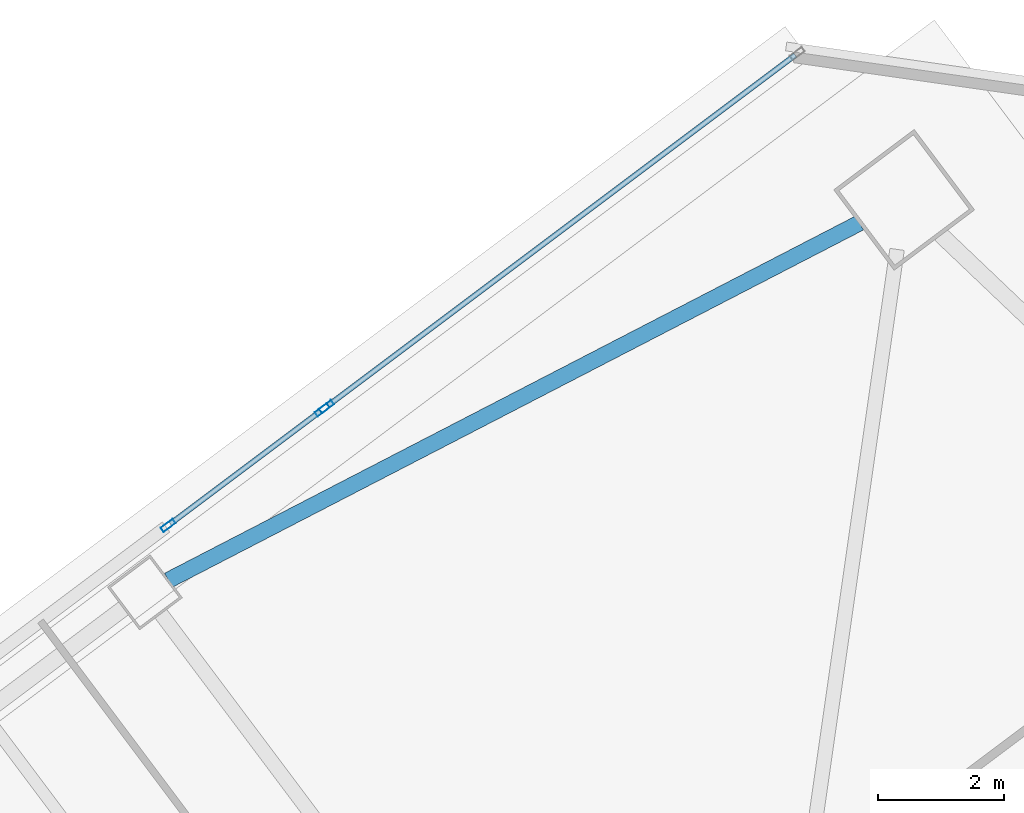
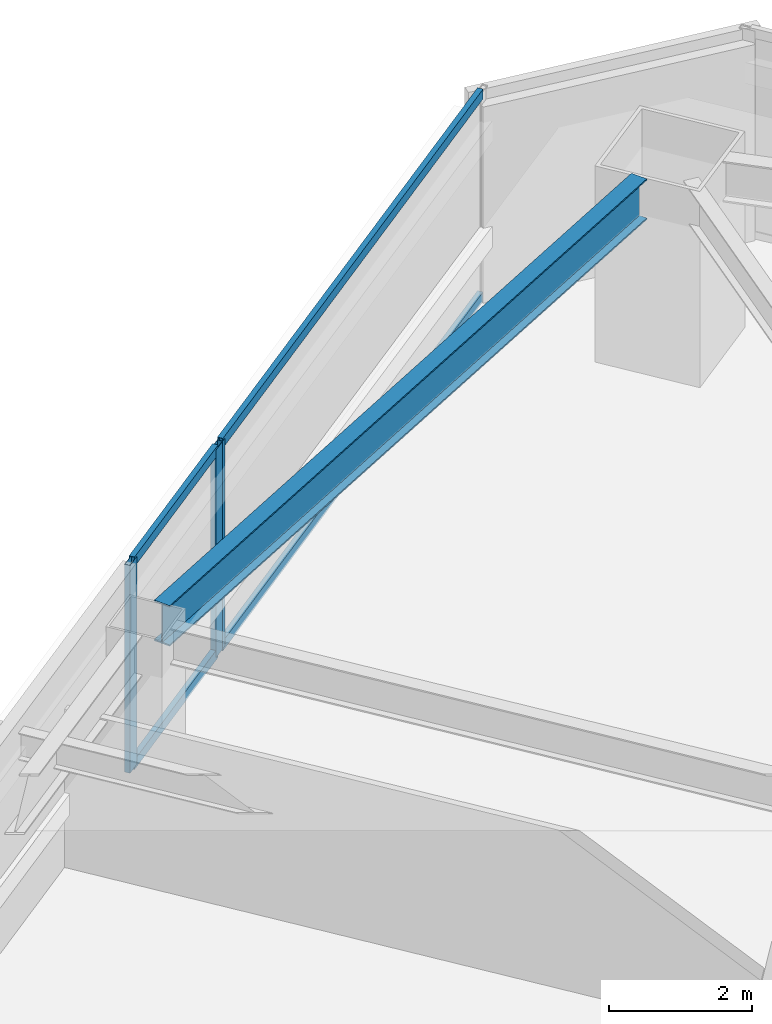
# One storey, part 28 of 46: 7 members, 1 beam, 2 elements without a shape of their own.
"""IFC4 building model written with IfcOpenShell, lengths in metres."""

from ifc_helpers import new_model, si_unit, direction, frame, origin, origin_2d, place, context, subcontext, project, spatial, hollow_rectangle, i_section, extrude, material, material_profile, profile_set, type_object, element, aggregate, save


model = new_model("IFC4")

# Units and contexts
model_context = context("Model", 3, precision=1e-05, world=origin(), true_north=direction((0.0, 1.0)))
body_context = subcontext(model_context, "Body", "Model", "MODEL_VIEW")
ifc_project = project(units=[si_unit("LENGTHUNIT", "METRE"), si_unit("AREAUNIT", "SQUARE_METRE"), si_unit("VOLUMEUNIT", "CUBIC_METRE"), si_unit("PLANEANGLEUNIT", "RADIAN"), si_unit("MASSUNIT", "GRAM", prefix="KILO")], contexts=[model_context])

# Site, building, storey
site_placement = place(None, origin())
site = spatial("IfcSite", under=ifc_project, at=site_placement, CompositionType="ELEMENT")
building_placement = place(site_placement, origin())
building = spatial("IfcBuilding", under=site, at=building_placement, Name="Tashvorn Skyway Center", CompositionType="ELEMENT")
storey_placement = place(building_placement, frame((0.0, 0.0, 31.699951171875)))
storey = spatial("IfcBuildingStorey", under=building, at=storey_placement, Name="L07", CompositionType="ELEMENT", Elevation=31.699951171875)

# Beam
ifc_material_1 = material(Name="Steel ASTM A992 Grade 50", Category="steel")
ifc_material_profile_1 = material_profile(ifc_material_1, i_section(OverallWidth=0.256103515625, OverallDepth=0.693115234375, WebThickness=0.014404296875, FlangeThickness=0.023681640625, at=origin_2d()), Name="W27X114")
ifc_profile_set_1 = profile_set([ifc_material_profile_1], Name="Steel ASTM A992 Grade 50")
beam_type = type_object("IfcBeamType", Name="BM-SPANDREL-W27X114", PredefinedType="SPANDREL", material=ifc_profile_set_1)
beam_placement = place(storey_placement, frame((117.0537109375, 57.954833984375, 3.003662109375), z_axis=(-0.888315637339, -0.459233413919, 0.0), x_axis=(0.459233413919, -0.888315637339, 0.0)))
element("IfcBeam", 1, at=beam_placement, inside=storey, type_object=beam_type, Name="Tower 2 L07 Spandrel Beam 07", PredefinedType="SPANDREL", context=body_context, shape_type="SweptSolid", body=[
    extrude(i_section(OverallWidth=0.256103515625, OverallDepth=0.693115234375, WebThickness=0.014404296875, FlangeThickness=0.023681640625, at=origin_2d()), origin(), (0.0, 0.0, 1.0), 12.37255859375),
])

# Curtain wall, members
ifc_material_2 = material(Name="Thermally broken bronze-anodized aluminium 6063-T6", Category="aluminium")
curtain_wall_type = type_object("IfcCurtainWallType", Name="CW-CW-Z1", PredefinedType="NOTDEFINED", material=ifc_material_2)
curtain_wall_1_placement = place(storey_placement, origin())
curtain_wall_1 = element("IfcCurtainWall", 2, at=curtain_wall_1_placement, inside=storey, type_object=curtain_wall_type, Name="Tower 2 L07 North Unitised Curtain Wall Glazing Group 3", PredefinedType="NOTDEFINED")
ifc_material_profile_2 = material_profile(ifc_material_2, hollow_rectangle(XDim=0.0849609375, YDim=0.239990234375, WallThickness=0.0048828125, at=origin_2d()), Name="ALU-MULL-85x240")
ifc_profile_set_2 = profile_set([ifc_material_profile_2], Name="Thermally broken bronze-anodized aluminium 6063-T6")
member_type_1 = type_object("IfcMemberType", Name="CWM-CW-Z1", PredefinedType="MULLION", material=ifc_profile_set_2)
member_1_placement = place(storey_placement, frame((106.060791015625, 53.1455078125, 0.0), z_axis=(0.0, 0.0, 1.0), x_axis=(-0.600005084776, 0.799996186392, 0.0)))
member_1 = element("IfcMember", 3, at=member_1_placement, type_object=member_type_1, Name="CW-Z1 mullion 1", PredefinedType="MULLION", context=body_context, shape_type="SweptSolid", body=[
    extrude(hollow_rectangle(XDim=0.0849609375, YDim=0.239990234375, WallThickness=0.0048828125, at=origin_2d()), origin(), (0.0, 0.0, 1.0), 3.550048828125),
])
member_2_placement = place(storey_placement, frame((108.510009765625, 54.982421875, 0.0), z_axis=(0.0, 0.0, 1.0), x_axis=(-0.600005084776, 0.799996186392, 0.0)))
member_2 = element("IfcMember", 4, at=member_2_placement, type_object=member_type_1, Name="CW-Z1 mullion 2", PredefinedType="MULLION", context=body_context, shape_type="SweptSolid", body=[
    extrude(hollow_rectangle(XDim=0.0849609375, YDim=0.239990234375, WallThickness=0.0048828125, at=origin_2d()), origin(), (0.0, 0.0, 1.0), 3.550048828125),
])

# Curtain wall, member
curtain_wall_2_placement = place(storey_placement, origin())
curtain_wall_2 = element("IfcCurtainWall", 5, at=curtain_wall_2_placement, inside=storey, type_object=curtain_wall_type, Name="Tower 2 L07 North Unitised Curtain Wall Glazing Group 4", PredefinedType="NOTDEFINED")
member_3_placement = place(storey_placement, frame((108.577880859375, 55.033447265625, 0.0), z_axis=(0.0, 0.0, 1.0), x_axis=(-0.600000000002, 0.799999999998, 0.0)))
member_3 = element("IfcMember", 6, at=member_3_placement, type_object=member_type_1, Name="CW-Z1 mullion 1", PredefinedType="MULLION", context=body_context, shape_type="SweptSolid", body=[
    extrude(hollow_rectangle(XDim=0.0849609375, YDim=0.239990234375, WallThickness=0.0048828125, at=origin_2d()), origin(), (0.0, 0.0, 1.0), 3.550048828125),
])

# Member
ifc_material_profile_3 = material_profile(ifc_material_2, hollow_rectangle(XDim=0.0849609375, YDim=0.1650390625, WallThickness=0.0048828125, at=origin_2d()), Name="ALU-TRAN-85x165")
ifc_profile_set_3 = profile_set([ifc_material_profile_3], Name="Thermally broken bronze-anodized aluminium 6063-T6")
member_type_2 = type_object("IfcMemberType", Name="CWT-CW-Z1", PredefinedType="USERDEFINED", material=ifc_profile_set_3)
member_4_placement = place(storey_placement, frame((106.0947265625, 53.1708984375, 0.04248046875), z_axis=(0.799980315822, 0.600026244674, 0.0), x_axis=(-0.600026244674, 0.799980315822, 0.0)))
member_4 = element("IfcMember", 7, at=member_4_placement, type_object=member_type_2, Name="CW-Z1 transom 1.1", ObjectType="TRANSOM", PredefinedType="USERDEFINED", context=body_context, shape_type="SweptSolid", body=[
    extrude(hollow_rectangle(XDim=0.0849609375, YDim=0.1650390625, WallThickness=0.0048828125, at=origin_2d()), origin(), (0.0, 0.0, 1.0), 2.976806640625),
])

member_5_placement = place(storey_placement, frame((106.0947265625, 53.1708984375, 3.507568359375), z_axis=(0.799980315822, 0.600026244674, 0.0), x_axis=(-0.600026244674, 0.799980315822, 0.0)))
member_5 = element("IfcMember", 8, at=member_5_placement, type_object=member_type_2, Name="CW-Z1 transom 1.2", ObjectType="TRANSOM", PredefinedType="USERDEFINED", context=body_context, shape_type="SweptSolid", body=[
    extrude(hollow_rectangle(XDim=0.0849609375, YDim=0.1650390625, WallThickness=0.0048828125, at=origin_2d()), origin(), (0.0, 0.0, 1.0), 2.976806640625),
])

aggregate(curtain_wall_1, [member_1, member_2, member_4, member_5])

member_6_placement = place(storey_placement, frame((108.612060546875, 55.05908203125, 0.04248046875), z_axis=(0.8, 0.6, 0.0), x_axis=(-0.6, 0.8, 0.0)))
member_6 = element("IfcMember", 9, at=member_6_placement, type_object=member_type_2, Name="CW-Z1 transom 1.1", ObjectType="TRANSOM", PredefinedType="USERDEFINED", context=body_context, shape_type="SweptSolid", body=[
    extrude(hollow_rectangle(XDim=0.0849609375, YDim=0.1650390625, WallThickness=0.0048828125, at=origin_2d()), origin(), (0.0, 0.0, 1.0), 9.27001953125),
])

member_7_placement = place(storey_placement, frame((108.612060546875, 55.05908203125, 3.507568359375), z_axis=(0.8, 0.6, 0.0), x_axis=(-0.6, 0.8, 0.0)))
member_7 = element("IfcMember", 10, at=member_7_placement, type_object=member_type_2, Name="CW-Z1 transom 1.2", ObjectType="TRANSOM", PredefinedType="USERDEFINED", context=body_context, shape_type="SweptSolid", body=[
    extrude(hollow_rectangle(XDim=0.0849609375, YDim=0.1650390625, WallThickness=0.0048828125, at=origin_2d()), origin(), (0.0, 0.0, 1.0), 9.27001953125),
])

aggregate(curtain_wall_2, [member_3, member_6, member_7])

save(model, "model.ifc")
